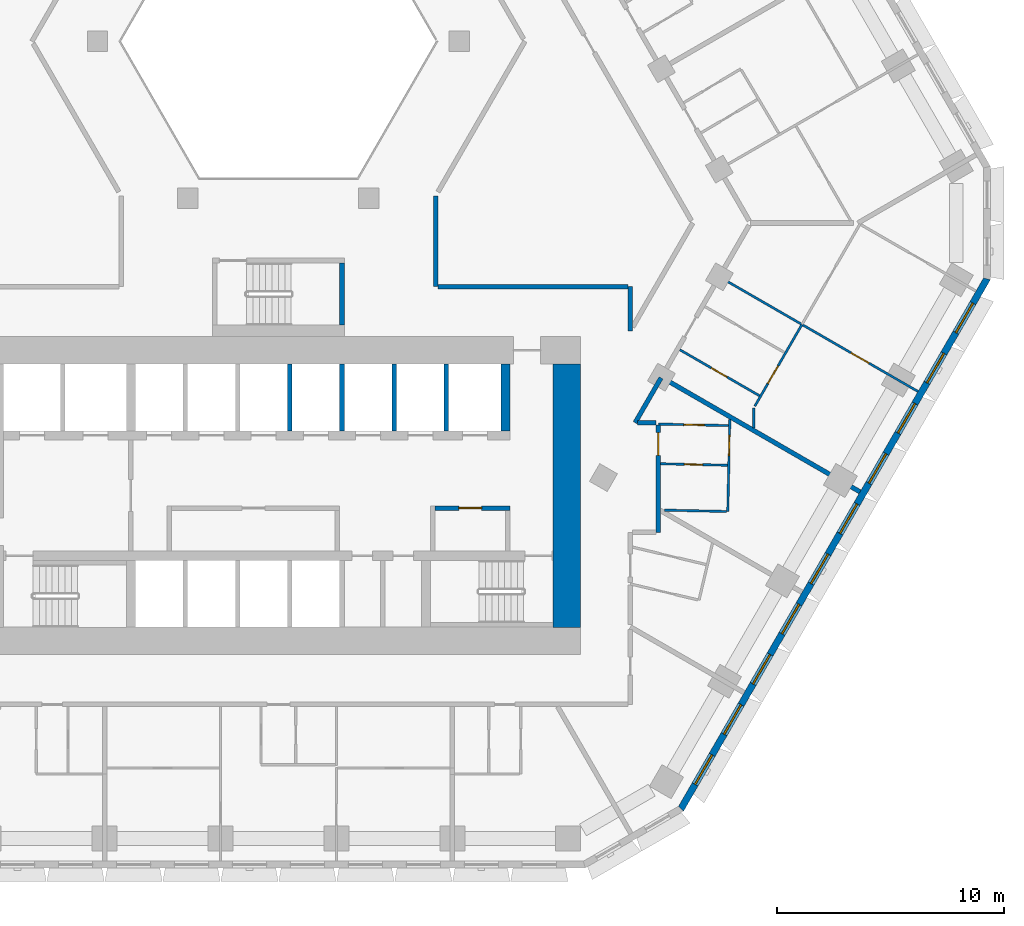
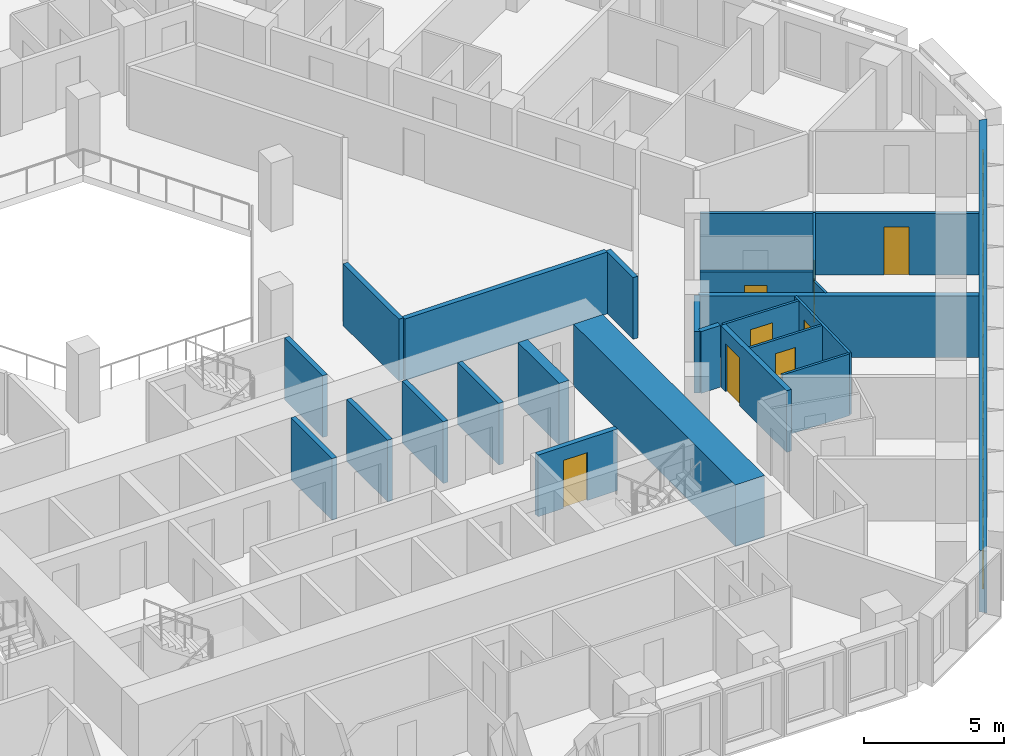
# One storey, part 7 of 21: 24 walls, 10 windows, 8 doors, 18 openings.
"""IFC4 building model written with IfcOpenShell, lengths in metres."""

import ifcopenshell
import ifcopenshell.guid

model = None  # the IFC model being written
_history = None  # IfcOwnerHistory: only IFC2X3 demands one
_inside = {}  # id of a spatial element -> (the spatial element, [elements in it])
_under = {}  # id of a project, library or spatial element -> (it, [spatial elements below it])
_declared = {}  # id of a project -> (the project, [libraries it declares])
_typed = {}  # id of a type object -> (the type object, [elements of that type])
_made_of = {}  # id of a material, layer set ... -> (it, [elements and type objects made of it])


def new_model(schema):
    """Start an empty IFC model of exactly this schema.

    Asked for "IFC4X3", IfcOpenShell would pick the latest addendum, in which some entities
    have other attributes; the version numbers below select the first issue.
    IFC2X3 requires an IfcOwnerHistory on every rooted entity: one is made here for all.
    """
    global model, _history
    if schema == "IFC4X3":
        model = ifcopenshell.file(schema_version=(4, 3, 0, 0))
    else:
        model = ifcopenshell.file(schema=schema)
    _inside.clear()
    _under.clear()
    _declared.clear()
    _typed.clear()
    _made_of.clear()
    _history = None
    if model.schema == "IFC2X3":
        org = make("IfcOrganization", Name="unknown")
        user = make(
            "IfcPersonAndOrganization",
            ThePerson=make("IfcPerson", FamilyName="unknown"),
            TheOrganization=org,
        )
        app = make(
            "IfcApplication",
            ApplicationDeveloper=org,
            Version="unknown",
            ApplicationFullName="unknown",
            ApplicationIdentifier="unknown",
        )
        _history = make(
            "IfcOwnerHistory",
            OwningUser=user,
            OwningApplication=app,
            ChangeAction="ADDED",
            CreationDate=0,
        )
    return model


def make(cls, **values):
    """One entity of the class cls with the attributes given. An attribute that is None is left unset."""
    return model.create_entity(
        cls, **{name: value for name, value in values.items() if value is not None}
    )


def rooted(cls, **values):
    """An entity with a GlobalId (a new one), such as an element, a storey or a relation."""
    return make(cls, GlobalId=ifcopenshell.guid.new(), OwnerHistory=_history, **values)


def si_unit(unit_type, name, prefix=None):
    """IfcSIUnit, for example si_unit("LENGTHUNIT", "METRE", prefix="MILLI")."""
    return make("IfcSIUnit", UnitType=unit_type, Prefix=prefix, Name=name)


def assignment(units):
    """IfcUnitAssignment: the units of a project."""
    return None if units is None else make("IfcUnitAssignment", Units=units)


def point(xyz):
    """IfcCartesianPoint."""
    return None if xyz is None else make("IfcCartesianPoint", Coordinates=xyz)


def direction(xyz):
    """IfcDirection."""
    return None if xyz is None else make("IfcDirection", DirectionRatios=xyz)


def frame(location, z_axis=None, x_axis=None):
    """IfcAxis2Placement3D, a coordinate frame: its origin and axes. An axis left out is left unset."""
    return make(
        "IfcAxis2Placement3D",
        Location=point(location),
        Axis=direction(z_axis),
        RefDirection=direction(x_axis),
    )


def frame_2d(location, x_axis=None):
    """IfcAxis2Placement2D, a coordinate frame in the plane: its origin and x axis."""
    return make(
        "IfcAxis2Placement2D", Location=point(location), RefDirection=direction(x_axis)
    )


def origin():
    """The frame at (0, 0, 0) with its axes left unset."""
    return frame((0.0, 0.0, 0.0))


def place(relative_to, where):
    """IfcLocalPlacement: puts the frame where relative to a parent placement (None: the world)."""
    return make(
        "IfcLocalPlacement", PlacementRelTo=relative_to, RelativePlacement=where
    )


def context(
    kind, dimensions, precision=None, world=None, true_north=None, identifier=None
):
    """IfcGeometricRepresentationContext, for example the 3D "Model" context."""
    return make(
        "IfcGeometricRepresentationContext",
        ContextIdentifier=identifier,
        ContextType=kind,
        CoordinateSpaceDimension=dimensions,
        Precision=precision,
        WorldCoordinateSystem=world,
        TrueNorth=true_north,
    )


def subcontext(parent, identifier, kind, view, scale=None):
    """IfcGeometricRepresentationSubContext, for example "Body" below "Model"."""
    return make(
        "IfcGeometricRepresentationSubContext",
        ContextIdentifier=identifier,
        ContextType=kind,
        ParentContext=parent,
        TargetScale=scale,
        TargetView=view,
    )


def project(units=None, contexts=None):
    """IfcProject with its units and contexts."""
    return rooted(
        "IfcProject",
        Name="project",
        RepresentationContexts=contexts,
        UnitsInContext=assignment(units),
    )


def spatial(cls, under=None, at=None, **own):
    """A site, building, storey or space (cls), placed at a placement, below another one or the project."""
    s = rooted(cls, ObjectPlacement=at, **own)
    if under is not None:
        _under.setdefault(under.id(), (under, []))[1].append(s)
    return s


def polyline(points):
    """IfcPolyline through the points."""
    return make("IfcPolyline", Points=[point(p) for p in points])


def profile(cls, at=None, kind="AREA", **sizes):
    """A parametric profile (cls). Its sizes go by their IFC names, for example OverallWidth=200.0."""
    return make(cls, ProfileType=kind, Position=at, **sizes)


def rectangle(**sizes):
    """IfcRectangleProfileDef."""
    return profile("IfcRectangleProfileDef", **sizes)


def outline(outer, holes=None, kind="AREA"):
    """IfcArbitraryClosedProfileDef: a profile drawn as a closed curve; with holes, ...WithVoids."""
    if holes is None:
        return make("IfcArbitraryClosedProfileDef", ProfileType=kind, OuterCurve=outer)
    return make(
        "IfcArbitraryProfileDefWithVoids",
        ProfileType=kind,
        OuterCurve=outer,
        InnerCurves=holes,
    )


def extrude(swept, where, along, depth):
    """IfcExtrudedAreaSolid: the profile swept, set in the frame where, extruded along a direction by depth."""
    return make(
        "IfcExtrudedAreaSolid",
        SweptArea=swept,
        Position=where,
        ExtrudedDirection=direction(along),
        Depth=depth,
    )


def shape(context_of_items, identifier, shape_type, items):
    """IfcShapeRepresentation: the items that make up one representation, for example the "Body"."""
    return make(
        "IfcShapeRepresentation",
        ContextOfItems=context_of_items,
        RepresentationIdentifier=identifier,
        RepresentationType=shape_type,
        Items=items,
    )


def material(Name=None, Category=None):
    """IfcMaterial."""
    return make("IfcMaterial", Name=Name, Category=Category)


def layer(
    of_material, thickness, ventilated=None, Name=None, Category=None, Priority=None
):
    """IfcMaterialLayer: one layer of a wall or slab, of a material (None: an air gap)."""
    return make(
        "IfcMaterialLayer",
        Material=of_material,
        LayerThickness=thickness,
        IsVentilated=ventilated,
        Name=Name,
        Category=Category,
        Priority=Priority,
    )


def layer_set(layers, Name=None):
    """IfcMaterialLayerSet."""
    return make("IfcMaterialLayerSet", MaterialLayers=layers, LayerSetName=Name)


def made_of(thing, what):
    """Note that an element or type object is made of a material, layer set ...; save() writes the relation."""
    if what is not None:
        _made_of.setdefault(what.id(), (what, []))[1].append(thing)
    return thing


def type_object(cls, material=None, **own):
    """A type object (cls), such as IfcWallType, which elements share."""
    return made_of(rooted(cls, **own), material)


def element(
    cls,
    number,
    at=None,
    inside=None,
    cuts=None,
    type_object=None,
    material=None,
    context=None,
    identifier="Body",
    shape_type=None,
    held_by="IfcProductDefinitionShape",
    body=None,
    shapes=None,
    **own,
):
    """One element of the class cls, such as IfcWall. Its Tag is "e" and its number.

    at: its placement. inside: the storey or other place that contains it. cuts: it is an
    opening in that element (IfcRelVoidsElement). A single representation is given by context,
    identifier, shape_type and body (its items); several are given by shapes. held_by: the class
    of the entity that holds the representations. save() writes the other relations.
    """
    e = rooted(cls, Tag="e%d" % number, ObjectPlacement=at, **own)
    if body is not None:
        shapes = [shape(context, identifier, shape_type, body)]
    if shapes is not None:
        e.Representation = make(held_by, Representations=shapes)
    if inside is not None:
        _inside.setdefault(inside.id(), (inside, []))[1].append(e)
    if cuts is not None:
        rooted(
            "IfcRelVoidsElement", RelatingBuildingElement=cuts, RelatedOpeningElement=e
        )
    if type_object is not None:
        _typed.setdefault(type_object.id(), (type_object, []))[1].append(e)
    return made_of(e, material)


def fill(opening, filler):
    """IfcRelFillsElement: the door or window that sits in an opening."""
    return rooted(
        "IfcRelFillsElement",
        RelatingOpeningElement=opening,
        RelatedBuildingElement=filler,
    )


def aggregate(whole, parts):
    """IfcRelAggregates: a whole, such as a stair, and the parts it consists of."""
    return rooted("IfcRelAggregates", RelatingObject=whole, RelatedObjects=parts)


def save(model, path):
    """Write the relations noted so far, then the file.

    IfcRelAggregates (storeys below a building ...), IfcRelContainedInSpatialStructure (elements
    in a storey), IfcRelDefinesByType, IfcRelAssociatesMaterial and IfcRelDeclares: one each for
    every whole, place, type object, material and project.
    """
    for whole, parts in _under.values():
        aggregate(whole, parts)
    for where, things in _inside.values():
        rooted(
            "IfcRelContainedInSpatialStructure",
            RelatedElements=things,
            RelatingStructure=where,
        )
    for kind, things in _typed.values():
        rooted("IfcRelDefinesByType", RelatedObjects=things, RelatingType=kind)
    for what, things in _made_of.values():
        rooted("IfcRelAssociatesMaterial", RelatedObjects=things, RelatingMaterial=what)
    for by, libraries in _declared.values():
        rooted("IfcRelDeclares", RelatingContext=by, RelatedDefinitions=libraries)
    model.write(path)


model = new_model("IFC4")

# Units and contexts
model_context = context("Model", 3, precision=1e-05, world=origin(), true_north=direction((0.0, 1.0)))
body_context = subcontext(model_context, "Body", "Model", "MODEL_VIEW")
ifc_project = project(units=[si_unit("LENGTHUNIT", "METRE"), si_unit("AREAUNIT", "SQUARE_METRE"), si_unit("VOLUMEUNIT", "CUBIC_METRE"), si_unit("PLANEANGLEUNIT", "RADIAN"), si_unit("MASSUNIT", "GRAM", prefix="KILO")], contexts=[model_context])

# Site, building, storey
site_placement = place(None, origin())
site = spatial("IfcSite", under=ifc_project, at=site_placement, CompositionType="ELEMENT")
building_placement = place(site_placement, origin())
building = spatial("IfcBuilding", under=site, at=building_placement, Name="Beryl Residences", CompositionType="ELEMENT")
storey_placement = place(building_placement, frame((0.0, 0.0, 53.39990234375)))
storey = spatial("IfcBuildingStorey", under=building, at=storey_placement, Name="L16", CompositionType="ELEMENT", Elevation=53.39990234375)

# Wall, openings, windows
ifc_material_1 = material(Name="Composite metal panel with mineral wool insulation")
ifc_layer_1 = layer(ifc_material_1, 0.300048828125)
ifc_layer_set_1 = layer_set([ifc_layer_1], Name="ES1 pale metal composite panel wall 300 mm")
wall_type_1 = type_object("IfcWallType", Name="ES1 pale metal composite panel wall 300 mm", PredefinedType="SOLIDWALL", material=ifc_layer_set_1)
wall_1_placement = place(storey_placement, frame((17.7099609375, -25.824951171875, 0.0), z_axis=(0.0, 0.0, 1.0), x_axis=(0.500001938803, 0.866024284413, 0.0)))
wall_1 = element("IfcWall", 1, at=wall_1_placement, inside=storey, type_object=wall_type_1, Name="ES1 external wall L16 SE", PredefinedType="SOLIDWALL", context=body_context, shape_type="SweptSolid", body=[
    extrude(outline(polyline([(0.0, -0.14990234375), (27.02001953125, -0.14990234375), (26.939697265625, 0.14990234375), (0.080322265625, 0.14990234375), (0.0, -0.14990234375)])), origin(), (0.0, 0.0, 1.0), 2.7001953125),
])
opening_1_placement = place(wall_1_placement, frame((1.277099609375, 0.0, 0.14990234375)))
opening_1 = element("IfcOpeningElement", 2, at=opening_1_placement, cuts=wall_1, Name="Opening W1", PredefinedType="OPENING", context=body_context, shape_type="SweptSolid", body=[
    extrude(rectangle(XDim=1.5, YDim=2.10009765625, at=frame_2d((0.75, 1.050048828125))), frame((0.0, 0.159912109375, 0.0), z_axis=(0.0, -1.0, 0.0), x_axis=(1.0, 0.0, 0.0)), (0.0, 0.0, 1.0), 0.320068359375),
])
opening_2_placement = place(wall_1_placement, frame((3.8291015625, 0.0, 0.14990234375)))
opening_2 = element("IfcOpeningElement", 3, at=opening_2_placement, cuts=wall_1, Name="Opening W1", PredefinedType="OPENING", context=body_context, shape_type="SweptSolid", body=[
    extrude(rectangle(XDim=1.5, YDim=2.10009765625, at=frame_2d((0.75, 1.050048828125))), frame((0.0, 0.159912109375, 0.0), z_axis=(0.0, -1.0, 0.0), x_axis=(1.0, 0.0, 0.0)), (0.0, 0.0, 1.0), 0.320068359375),
])
opening_3_placement = place(wall_1_placement, frame((6.382080078125, 0.0, 0.14990234375)))
opening_3 = element("IfcOpeningElement", 4, at=opening_3_placement, cuts=wall_1, Name="Opening W1", PredefinedType="OPENING", context=body_context, shape_type="SweptSolid", body=[
    extrude(rectangle(XDim=1.5, YDim=2.10009765625, at=frame_2d((0.75, 1.050048828125))), frame((0.0, 0.159912109375, 0.0), z_axis=(0.0, -1.0, 0.0), x_axis=(1.0, 0.0, 0.0)), (0.0, 0.0, 1.0), 0.320068359375),
])
opening_4_placement = place(wall_1_placement, frame((8.93310546875, 0.0, 0.14990234375)))
opening_4 = element("IfcOpeningElement", 5, at=opening_4_placement, cuts=wall_1, Name="Opening W1", PredefinedType="OPENING", context=body_context, shape_type="SweptSolid", body=[
    extrude(rectangle(XDim=1.5, YDim=2.10009765625, at=frame_2d((0.75, 1.050048828125))), frame((0.0, 0.159912109375, 0.0), z_axis=(0.0, -1.0, 0.0), x_axis=(1.0, 0.0, 0.0)), (0.0, 0.0, 1.0), 0.320068359375),
])
opening_5_placement = place(wall_1_placement, frame((11.485107421875, 0.0, 0.14990234375)))
opening_5 = element("IfcOpeningElement", 6, at=opening_5_placement, cuts=wall_1, Name="Opening W1", PredefinedType="OPENING", context=body_context, shape_type="SweptSolid", body=[
    extrude(rectangle(XDim=1.5, YDim=2.10009765625, at=frame_2d((0.75, 1.050048828125))), frame((0.0, 0.159912109375, 0.0), z_axis=(0.0, -1.0, 0.0), x_axis=(1.0, 0.0, 0.0)), (0.0, 0.0, 1.0), 0.320068359375),
])
opening_6_placement = place(wall_1_placement, frame((14.037109375, 0.0, 0.14990234375)))
opening_6 = element("IfcOpeningElement", 7, at=opening_6_placement, cuts=wall_1, Name="Opening W1", PredefinedType="OPENING", context=body_context, shape_type="SweptSolid", body=[
    extrude(rectangle(XDim=1.5, YDim=2.10009765625, at=frame_2d((0.75, 1.050048828125))), frame((0.0, 0.159912109375, 0.0), z_axis=(0.0, -1.0, 0.0), x_axis=(1.0, 0.0, 0.0)), (0.0, 0.0, 1.0), 0.320068359375),
])
opening_7_placement = place(wall_1_placement, frame((16.589111328125, 0.0, 0.14990234375)))
opening_7 = element("IfcOpeningElement", 8, at=opening_7_placement, cuts=wall_1, Name="Opening W1", PredefinedType="OPENING", context=body_context, shape_type="SweptSolid", body=[
    extrude(rectangle(XDim=1.5, YDim=2.10009765625, at=frame_2d((0.75, 1.050048828125))), frame((0.0, 0.159912109375, 0.0), z_axis=(0.0, -1.0, 0.0), x_axis=(1.0, 0.0, 0.0)), (0.0, 0.0, 1.0), 0.320068359375),
])
opening_8_placement = place(wall_1_placement, frame((19.14111328125, 0.0, 0.14990234375)))
opening_8 = element("IfcOpeningElement", 9, at=opening_8_placement, cuts=wall_1, Name="Opening W1", PredefinedType="OPENING", context=body_context, shape_type="SweptSolid", body=[
    extrude(rectangle(XDim=1.5, YDim=2.10009765625, at=frame_2d((0.75, 1.050048828125))), frame((0.0, 0.159912109375, 0.0), z_axis=(0.0, -1.0, 0.0), x_axis=(1.0, 0.0, 0.0)), (0.0, 0.0, 1.0), 0.320068359375),
])
opening_9_placement = place(wall_1_placement, frame((21.693115234375, 0.0, 0.14990234375)))
opening_9 = element("IfcOpeningElement", 10, at=opening_9_placement, cuts=wall_1, Name="Opening W1", PredefinedType="OPENING", context=body_context, shape_type="SweptSolid", body=[
    extrude(rectangle(XDim=1.5, YDim=2.10009765625, at=frame_2d((0.75, 1.050048828125))), frame((0.0, 0.159912109375, 0.0), z_axis=(0.0, -1.0, 0.0), x_axis=(1.0, 0.0, 0.0)), (0.0, 0.0, 1.0), 0.320068359375),
])
opening_10_placement = place(wall_1_placement, frame((24.243896484375, 0.0, 0.14990234375)))
opening_10 = element("IfcOpeningElement", 11, at=opening_10_placement, cuts=wall_1, Name="Opening W1", PredefinedType="OPENING", context=body_context, shape_type="SweptSolid", body=[
    extrude(rectangle(XDim=1.5, YDim=2.10009765625, at=frame_2d((0.75, 1.050048828125))), frame((0.0, 0.159912109375, 0.0), z_axis=(0.0, -1.0, 0.0), x_axis=(1.0, 0.0, 0.0)), (0.0, 0.0, 1.0), 0.320068359375),
])
ifc_material_2 = material(Name="Aluminium and clear glass", Category="aluminium")
window_type = type_object("IfcWindowType", Name="W1 cell window 1500 x 2100 mm", PartitioningType="SINGLE_PANEL", PredefinedType="WINDOW", material=ifc_material_2)
window_1_placement = place(opening_1_placement, origin())
window_1 = element("IfcWindow", 12, at=window_1_placement, inside=storey, type_object=window_type, Name="W1 window L16 SE 1", OverallHeight=2.10009765625, OverallWidth=1.5, PartitioningType="SINGLE_PANEL", PredefinedType="WINDOW", context=body_context, shape_type="SweptSolid", body=[
    extrude(rectangle(XDim=1.5, YDim=2.10009765625, at=frame_2d((0.75, 1.050048828125))), frame((0.0, 0.030029296875, 0.0), z_axis=(0.0, -1.0, 0.0), x_axis=(1.0, 0.0, 0.0)), (0.0, 0.0, 1.0), 0.06005859375),
])
fill(opening_1, window_1)
window_2_placement = place(opening_2_placement, origin())
window_2 = element("IfcWindow", 13, at=window_2_placement, inside=storey, type_object=window_type, Name="W1 window L16 SE 2", OverallHeight=2.10009765625, OverallWidth=1.5, PartitioningType="SINGLE_PANEL", PredefinedType="WINDOW", context=body_context, shape_type="SweptSolid", body=[
    extrude(rectangle(XDim=1.5, YDim=2.10009765625, at=frame_2d((0.75, 1.050048828125))), frame((0.0, 0.030029296875, 0.0), z_axis=(0.0, -1.0, 0.0), x_axis=(1.0, 0.0, 0.0)), (0.0, 0.0, 1.0), 0.06005859375),
])
fill(opening_2, window_2)
window_3_placement = place(opening_3_placement, origin())
window_3 = element("IfcWindow", 14, at=window_3_placement, inside=storey, type_object=window_type, Name="W1 window L16 SE 3", OverallHeight=2.10009765625, OverallWidth=1.5, PartitioningType="SINGLE_PANEL", PredefinedType="WINDOW", context=body_context, shape_type="SweptSolid", body=[
    extrude(rectangle(XDim=1.5, YDim=2.10009765625, at=frame_2d((0.75, 1.050048828125))), frame((0.0, 0.030029296875, 0.0), z_axis=(0.0, -1.0, 0.0), x_axis=(1.0, 0.0, 0.0)), (0.0, 0.0, 1.0), 0.06005859375),
])
fill(opening_3, window_3)
window_4_placement = place(opening_4_placement, origin())
window_4 = element("IfcWindow", 15, at=window_4_placement, inside=storey, type_object=window_type, Name="W1 window L16 SE 4", OverallHeight=2.10009765625, OverallWidth=1.5, PartitioningType="SINGLE_PANEL", PredefinedType="WINDOW", context=body_context, shape_type="SweptSolid", body=[
    extrude(rectangle(XDim=1.5, YDim=2.10009765625, at=frame_2d((0.75, 1.050048828125))), frame((0.0, 0.030029296875, 0.0), z_axis=(0.0, -1.0, 0.0), x_axis=(1.0, 0.0, 0.0)), (0.0, 0.0, 1.0), 0.06005859375),
])
fill(opening_4, window_4)
window_5_placement = place(opening_5_placement, origin())
window_5 = element("IfcWindow", 16, at=window_5_placement, inside=storey, type_object=window_type, Name="W1 window L16 SE 5", OverallHeight=2.10009765625, OverallWidth=1.5, PartitioningType="SINGLE_PANEL", PredefinedType="WINDOW", context=body_context, shape_type="SweptSolid", body=[
    extrude(rectangle(XDim=1.5, YDim=2.10009765625, at=frame_2d((0.75, 1.050048828125))), frame((0.0, 0.030029296875, 0.0), z_axis=(0.0, -1.0, 0.0), x_axis=(1.0, 0.0, 0.0)), (0.0, 0.0, 1.0), 0.06005859375),
])
fill(opening_5, window_5)
window_6_placement = place(opening_6_placement, origin())
window_6 = element("IfcWindow", 17, at=window_6_placement, inside=storey, type_object=window_type, Name="W1 window L16 SE 6", OverallHeight=2.10009765625, OverallWidth=1.5, PartitioningType="SINGLE_PANEL", PredefinedType="WINDOW", context=body_context, shape_type="SweptSolid", body=[
    extrude(rectangle(XDim=1.5, YDim=2.10009765625, at=frame_2d((0.75, 1.050048828125))), frame((0.0, 0.030029296875, 0.0), z_axis=(0.0, -1.0, 0.0), x_axis=(1.0, 0.0, 0.0)), (0.0, 0.0, 1.0), 0.06005859375),
])
fill(opening_6, window_6)
window_7_placement = place(opening_7_placement, origin())
window_7 = element("IfcWindow", 18, at=window_7_placement, inside=storey, type_object=window_type, Name="W1 window L16 SE 7", OverallHeight=2.10009765625, OverallWidth=1.5, PartitioningType="SINGLE_PANEL", PredefinedType="WINDOW", context=body_context, shape_type="SweptSolid", body=[
    extrude(rectangle(XDim=1.5, YDim=2.10009765625, at=frame_2d((0.75, 1.050048828125))), frame((0.0, 0.030029296875, 0.0), z_axis=(0.0, -1.0, 0.0), x_axis=(1.0, 0.0, 0.0)), (0.0, 0.0, 1.0), 0.06005859375),
])
fill(opening_7, window_7)
window_8_placement = place(opening_8_placement, origin())
window_8 = element("IfcWindow", 19, at=window_8_placement, inside=storey, type_object=window_type, Name="W1 window L16 SE 8", OverallHeight=2.10009765625, OverallWidth=1.5, PartitioningType="SINGLE_PANEL", PredefinedType="WINDOW", context=body_context, shape_type="SweptSolid", body=[
    extrude(rectangle(XDim=1.5, YDim=2.10009765625, at=frame_2d((0.75, 1.050048828125))), frame((0.0, 0.030029296875, 0.0), z_axis=(0.0, -1.0, 0.0), x_axis=(1.0, 0.0, 0.0)), (0.0, 0.0, 1.0), 0.06005859375),
])
fill(opening_8, window_8)
window_9_placement = place(opening_9_placement, origin())
window_9 = element("IfcWindow", 20, at=window_9_placement, inside=storey, type_object=window_type, Name="W1 window L16 SE 9", OverallHeight=2.10009765625, OverallWidth=1.5, PartitioningType="SINGLE_PANEL", PredefinedType="WINDOW", context=body_context, shape_type="SweptSolid", body=[
    extrude(rectangle(XDim=1.5, YDim=2.10009765625, at=frame_2d((0.75, 1.050048828125))), frame((0.0, 0.030029296875, 0.0), z_axis=(0.0, -1.0, 0.0), x_axis=(1.0, 0.0, 0.0)), (0.0, 0.0, 1.0), 0.06005859375),
])
fill(opening_9, window_9)
window_10_placement = place(opening_10_placement, origin())
window_10 = element("IfcWindow", 21, at=window_10_placement, inside=storey, type_object=window_type, Name="W1 window L16 SE 10", OverallHeight=2.10009765625, OverallWidth=1.5, PartitioningType="SINGLE_PANEL", PredefinedType="WINDOW", context=body_context, shape_type="SweptSolid", body=[
    extrude(rectangle(XDim=1.5, YDim=2.10009765625, at=frame_2d((0.75, 1.050048828125))), frame((0.0, 0.030029296875, 0.0), z_axis=(0.0, -1.0, 0.0), x_axis=(1.0, 0.0, 0.0)), (0.0, 0.0, 1.0), 0.06005859375),
])
fill(opening_10, window_10)

# Wall, opening, door
ifc_material_3 = material(Name="Gypsum board partition on steel studs", Category="steel")
ifc_layer_2 = layer(ifc_material_3, 0.10009765625)
ifc_layer_set_2 = layer_set([ifc_layer_2], Name="PT1 partition 100 mm gypsum board on steel studs")
wall_type_2 = type_object("IfcWallType", Name="PT1 partition 100 mm gypsum board on steel studs", PredefinedType="PARTITIONING", material=ifc_layer_set_2)
wall_2_placement = place(storey_placement, frame((16.72802734375, -8.85302734375, 0.0), z_axis=(0.0, 0.0, 1.0), x_axis=(0.999759332126, -0.021938045176, 0.0)))
wall_2 = element("IfcWall", 22, at=wall_2_placement, inside=storey, type_object=wall_type_2, Name="Wall PT1 L16 017", PredefinedType="PARTITIONING", context=body_context, shape_type="SweptSolid", body=[
    extrude(rectangle(XDim=3.09375, YDim=0.10009765625, at=frame_2d((1.546875, 0.0))), origin(), (0.0, 0.0, 1.0), 2.7001953125),
])
opening_11_placement = place(wall_2_placement, frame((1.1220703125, 0.0, 0.0)))
opening_11 = element("IfcOpeningElement", 23, at=opening_11_placement, cuts=wall_2, Name="Opening D0241", PredefinedType="OPENING", context=body_context, shape_type="SweptSolid", body=[
    extrude(rectangle(XDim=0.89990234375, YDim=2.10009765625, at=frame_2d((0.449951171875, 1.050048828125))), frame((0.0, 0.06005859375, 0.0), z_axis=(0.0, -1.0, 0.0), x_axis=(1.0, 0.0, 0.0)), (0.0, 0.0, 1.0), 0.1201171875),
])
ifc_material_4 = material(Name="Timber door leaf", Category="wood")
door_type_1 = type_object("IfcDoorType", Name="D2 room door 900 x 2100 mm", OperationType="SINGLE_SWING_LEFT", PredefinedType="DOOR", material=ifc_material_4)
door_1_placement = place(opening_11_placement, origin())
door_1 = element("IfcDoor", 24, at=door_1_placement, inside=storey, type_object=door_type_1, Name="Door D0241 L16 001", OperationType="SINGLE_SWING_LEFT", OverallHeight=2.10009765625, OverallWidth=0.89990234375, PredefinedType="DOOR", context=body_context, shape_type="SweptSolid", body=[
    extrude(rectangle(XDim=0.89990234375, YDim=2.10009765625, at=frame_2d((0.449951171875, 1.050048828125))), frame((0.0, 0.02490234375, 0.0), z_axis=(0.0, -1.0, 0.0), x_axis=(1.0, 0.0, 0.0)), (0.0, 0.0, 1.0), 0.050048828125),
])
fill(opening_11, door_1)

wall_3_placement = place(storey_placement, frame((16.827880859375, -10.60107421875, 0.0), z_axis=(0.0, 0.0, 1.0), x_axis=(0.999751134527, -0.02230849639, 0.0)))
wall_3 = element("IfcWall", 25, at=wall_3_placement, inside=storey, type_object=wall_type_2, Name="Wall PT1 L16 018", PredefinedType="PARTITIONING", context=body_context, shape_type="SweptSolid", body=[
    extrude(rectangle(XDim=2.954833984375, YDim=0.10009765625, at=frame_2d((1.4775390625, 0.0))), origin(), (0.0, 0.0, 1.0), 2.7001953125),
])
opening_12_placement = place(wall_3_placement, frame((1.052978515625, 0.0, 0.0)))
opening_12 = element("IfcOpeningElement", 26, at=opening_12_placement, cuts=wall_3, Name="Opening D0242", PredefinedType="OPENING", context=body_context, shape_type="SweptSolid", body=[
    extrude(rectangle(XDim=0.800048828125, YDim=2.10009765625, at=frame_2d((0.39990234375, 1.050048828125))), frame((0.0, 0.06005859375, 0.0), z_axis=(0.0, -1.0, 0.0), x_axis=(1.0, 0.0, 0.0)), (0.0, 0.0, 1.0), 0.1201171875),
])
ifc_material_5 = material(Name="Timber door leaf", Category="wood")
door_type_2 = type_object("IfcDoorType", Name="D3 bathroom door 800 x 2100 mm", OperationType="SINGLE_SWING_LEFT", PredefinedType="DOOR", material=ifc_material_5)
door_2_placement = place(opening_12_placement, origin())
door_2 = element("IfcDoor", 27, at=door_2_placement, inside=storey, type_object=door_type_2, Name="Door D0242 L16 001", OperationType="SINGLE_SWING_RIGHT", OverallHeight=2.10009765625, OverallWidth=0.800048828125, PredefinedType="DOOR", context=body_context, shape_type="SweptSolid", body=[
    extrude(rectangle(XDim=0.800048828125, YDim=2.10009765625, at=frame_2d((0.39990234375, 1.050048828125))), frame((0.0, 0.02490234375, 0.0), z_axis=(0.0, -1.0, 0.0), x_axis=(1.0, 0.0, 0.0)), (0.0, 0.0, 1.0), 0.050048828125),
])
fill(opening_12, door_2)

# Wall
wall_4_placement = place(storey_placement, frame((16.99609375, -12.64208984375, 0.0), z_axis=(0.0, 0.0, 1.0), x_axis=(0.999754143854, -0.022173223641, 0.0)))
element("IfcWall", 28, at=wall_4_placement, inside=storey, type_object=wall_type_2, Name="Wall PT1 L16 019", PredefinedType="PARTITIONING", context=body_context, shape_type="SweptSolid", body=[
    extrude(rectangle(XDim=2.74169921875, YDim=0.10009765625, at=frame_2d((1.370849609375, 0.0))), origin(), (0.0, 0.0, 1.0), 2.7001953125),
])

# Wall, opening, door
wall_5_placement = place(storey_placement, frame((17.677001953125, -5.58203125, 0.0), z_axis=(0.0, 0.0, 1.0), x_axis=(0.866015917575, -0.500016430238, 0.0)))
wall_5 = element("IfcWall", 29, at=wall_5_placement, inside=storey, type_object=wall_type_2, Name="Wall PT1 L16 022", PredefinedType="PARTITIONING", context=body_context, shape_type="SweptSolid", body=[
    extrude(rectangle(XDim=4.049560546875, YDim=0.10009765625, at=frame_2d((2.02490234375, 0.0))), origin(), (0.0, 0.0, 1.0), 2.7001953125),
])
opening_13_placement = place(wall_5_placement, frame((1.60009765625, 0.0, 0.0)))
opening_13 = element("IfcOpeningElement", 30, at=opening_13_placement, cuts=wall_5, Name="Opening D0245", PredefinedType="OPENING", context=body_context, shape_type="SweptSolid", body=[
    extrude(rectangle(XDim=0.800048828125, YDim=2.10009765625, at=frame_2d((0.39990234375, 1.050048828125))), frame((0.0, 0.06005859375, 0.0), z_axis=(0.0, -1.0, 0.0), x_axis=(1.0, 0.0, 0.0)), (0.0, 0.0, 1.0), 0.1201171875),
])
door_3_placement = place(opening_13_placement, origin())
door_3 = element("IfcDoor", 31, at=door_3_placement, inside=storey, type_object=door_type_2, Name="Door D0245 L16 001", OperationType="SINGLE_SWING_LEFT", OverallHeight=2.10009765625, OverallWidth=0.800048828125, PredefinedType="DOOR", context=body_context, shape_type="SweptSolid", body=[
    extrude(rectangle(XDim=0.800048828125, YDim=2.10009765625, at=frame_2d((0.39990234375, 1.050048828125))), frame((0.0, 0.02490234375, 0.0), z_axis=(0.0, -1.0, 0.0), x_axis=(1.0, 0.0, 0.0)), (0.0, 0.0, 1.0), 0.050048828125),
])
fill(opening_13, door_3)

wall_6_placement = place(storey_placement, frame((19.5029296875, -2.4189453125, 0.0), z_axis=(0.0, 0.0, 1.0), x_axis=(0.866047370643, -0.499961950354, 0.0)))
wall_6 = element("IfcWall", 32, at=wall_6_placement, inside=storey, type_object=wall_type_2, Name="Wall PT1 L16 025", PredefinedType="PARTITIONING", context=body_context, shape_type="SweptSolid", body=[
    extrude(rectangle(XDim=10.000732421875, YDim=0.10009765625, at=frame_2d((5.00048828125, 0.0))), origin(), (0.0, 0.0, 1.0), 2.7001953125),
])
opening_14_placement = place(wall_6_placement, frame((6.60009765625, 0.0, 0.0)))
opening_14 = element("IfcOpeningElement", 33, at=opening_14_placement, cuts=wall_6, Name="Opening D0248", PredefinedType="OPENING", context=body_context, shape_type="SweptSolid", body=[
    extrude(rectangle(XDim=0.89990234375, YDim=2.10009765625, at=frame_2d((0.449951171875, 1.050048828125))), frame((0.0, 0.06005859375, 0.0), z_axis=(0.0, -1.0, 0.0), x_axis=(1.0, 0.0, 0.0)), (0.0, 0.0, 1.0), 0.1201171875),
])
door_4_placement = place(opening_14_placement, origin())
door_4 = element("IfcDoor", 34, at=door_4_placement, inside=storey, type_object=door_type_1, Name="Door D0248 L16 001", OperationType="SINGLE_SWING_RIGHT", OverallHeight=2.10009765625, OverallWidth=0.89990234375, PredefinedType="DOOR", context=body_context, shape_type="SweptSolid", body=[
    extrude(rectangle(XDim=0.89990234375, YDim=2.10009765625, at=frame_2d((0.449951171875, 1.050048828125))), frame((0.0, 0.02490234375, 0.0), z_axis=(0.0, -1.0, 0.0), x_axis=(1.0, 0.0, 0.0)), (0.0, 0.0, 1.0), 0.050048828125),
])
fill(opening_14, door_4)

wall_7_placement = place(storey_placement, frame((20.97802734375, -8.06494140625, 0.0), z_axis=(0.0, 0.0, 1.0), x_axis=(0.499965068118, 0.866045570776, 0.0)))
wall_7 = element("IfcWall", 35, at=wall_7_placement, inside=storey, type_object=wall_type_2, Name="Wall PT1 L16 040", PredefinedType="PARTITIONING", context=body_context, shape_type="SweptSolid", body=[
    extrude(rectangle(XDim=4.152099609375, YDim=0.10009765625, at=frame_2d((2.076171875, 0.0))), origin(), (0.0, 0.0, 1.0), 2.7001953125),
])
opening_15_placement = place(wall_7_placement, frame((1.14990234375, 0.0, 0.0)))
opening_15 = element("IfcOpeningElement", 36, at=opening_15_placement, cuts=wall_7, Name="Opening D0247", PredefinedType="OPENING", context=body_context, shape_type="SweptSolid", body=[
    extrude(rectangle(XDim=0.89990234375, YDim=2.10009765625, at=frame_2d((0.449951171875, 1.050048828125))), frame((0.0, 0.06005859375, 0.0), z_axis=(0.0, -1.0, 0.0), x_axis=(1.0, 0.0, 0.0)), (0.0, 0.0, 1.0), 0.1201171875),
])
door_5_placement = place(opening_15_placement, origin())
door_5 = element("IfcDoor", 37, at=door_5_placement, inside=storey, type_object=door_type_1, Name="Door D0247 L16 001", OperationType="SINGLE_SWING_LEFT", OverallHeight=2.10009765625, OverallWidth=0.89990234375, PredefinedType="DOOR", context=body_context, shape_type="SweptSolid", body=[
    extrude(rectangle(XDim=0.89990234375, YDim=2.10009765625, at=frame_2d((0.449951171875, 1.050048828125))), frame((0.0, 0.02490234375, 0.0), z_axis=(0.0, -1.0, 0.0), x_axis=(1.0, 0.0, 0.0)), (0.0, 0.0, 1.0), 0.050048828125),
])
fill(opening_15, door_5)

wall_8_placement = place(storey_placement, frame((19.787109375, -12.7041015625, 0.0), z_axis=(0.0, 0.0, 1.0), x_axis=(0.02212326712, 0.999755250575, 0.0)))
wall_8 = element("IfcWall", 38, at=wall_8_placement, inside=storey, type_object=wall_type_2, Name="Wall PT1 L16 045", PredefinedType="PARTITIONING", context=body_context, shape_type="SweptSolid", body=[
    extrude(rectangle(XDim=4.06103515625, YDim=0.10009765625, at=frame_2d((2.030517578125, 0.0))), origin(), (0.0, 0.0, 1.0), 2.7001953125),
])
opening_16_placement = place(wall_8_placement, frame((2.4599609375, 0.0, 0.0)))
opening_16 = element("IfcOpeningElement", 39, at=opening_16_placement, cuts=wall_8, Name="Opening D0243", PredefinedType="OPENING", context=body_context, shape_type="SweptSolid", body=[
    extrude(rectangle(XDim=0.89990234375, YDim=2.10009765625, at=frame_2d((0.449951171875, 1.050048828125))), frame((0.0, 0.06005859375, 0.0), z_axis=(0.0, -1.0, 0.0), x_axis=(1.0, 0.0, 0.0)), (0.0, 0.0, 1.0), 0.1201171875),
])
door_6_placement = place(opening_16_placement, origin())
door_6 = element("IfcDoor", 40, at=door_6_placement, inside=storey, type_object=door_type_1, Name="Door D0243 L16 001", OperationType="SINGLE_SWING_LEFT", OverallHeight=2.10009765625, OverallWidth=0.89990234375, PredefinedType="DOOR", context=body_context, shape_type="SweptSolid", body=[
    extrude(rectangle(XDim=0.89990234375, YDim=2.10009765625, at=frame_2d((0.449951171875, 1.050048828125))), frame((0.0, 0.02490234375, 0.0), z_axis=(0.0, -1.0, 0.0), x_axis=(1.0, 0.0, 0.0)), (0.0, 0.0, 1.0), 0.050048828125),
])
fill(opening_16, door_6)

# Wall
wall_9_placement = place(storey_placement, frame((20.927978515625, -9.02001953125, 0.0), z_axis=(0.0, 0.0, 1.0), x_axis=(0.0, 1.0, 0.0)))
element("IfcWall", 41, at=wall_9_placement, inside=storey, type_object=wall_type_2, Name="Wall PT1 L16 051", PredefinedType="PARTITIONING", context=body_context, shape_type="SweptSolid", body=[
    extrude(rectangle(XDim=0.869140625, YDim=0.10009765625, at=frame_2d((0.4345703125, 0.0))), origin(), (0.0, 0.0, 1.0), 2.7001953125),
])

# Wall, opening, door
ifc_material_6 = material(Name="Concrete masonry", Category="masonry")
ifc_layer_3 = layer(ifc_material_6, 0.199951171875)
ifc_layer_set_3 = layer_set([ifc_layer_3], Name="PT13 lobby wall 200 mm")
wall_type_3 = type_object("IfcWallType", Name="PT13 lobby wall 200 mm", PredefinedType="PARTITIONING", material=ifc_layer_set_3)
wall_10_placement = place(storey_placement, frame((6.89990234375, -12.550048828125, 0.0), z_axis=(0.0, 0.0, 1.0), x_axis=(1.0, 0.0, 0.0)))
wall_10 = element("IfcWall", 42, at=wall_10_placement, inside=storey, type_object=wall_type_3, Name="Lobby wall 22", PredefinedType="PARTITIONING", context=body_context, shape_type="SweptSolid", body=[
    extrude(rectangle(XDim=3.300048828125, YDim=0.199951171875, at=frame_2d((1.64990234375, 0.0))), origin(), (0.0, 0.0, 1.0), 2.7001953125),
])
opening_17_placement = place(wall_10_placement, frame((2.050048828125, 0.0, 0.0), z_axis=(0.0, 0.0, 1.0), x_axis=(-1.0, 0.0, 0.0)))
opening_17 = element("IfcOpeningElement", 43, at=opening_17_placement, cuts=wall_10, Name="Opening CD-D-A2", PredefinedType="OPENING", context=body_context, shape_type="SweptSolid", body=[
    extrude(rectangle(XDim=1.0, YDim=2.10009765625, at=frame_2d((0.5, 1.050048828125))), frame((0.0, 0.10986328125, 0.0), z_axis=(0.0, -1.0, 0.0), x_axis=(1.0, 0.0, 0.0)), (0.0, 0.0, 1.0), 0.219970703125),
])
ifc_material_7 = material(Name="Steel door leaf in steel frame", Category="steel")
door_type_3 = type_object("IfcDoorType", Name="D18 service room door 1000 x 2100 mm", OperationType="SINGLE_SWING_LEFT", PredefinedType="DOOR", material=ifc_material_7)
door_7_placement = place(opening_17_placement, origin())
door_7 = element("IfcDoor", 44, at=door_7_placement, inside=storey, type_object=door_type_3, Name="Door CD-D-A2 L16 001", OperationType="SINGLE_SWING_LEFT", OverallHeight=2.10009765625, OverallWidth=1.0, PredefinedType="DOOR", context=body_context, shape_type="SweptSolid", body=[
    extrude(rectangle(XDim=1.0, YDim=2.10009765625, at=frame_2d((0.5, 1.050048828125))), frame((0.0, 0.02490234375, 0.0), z_axis=(0.0, -1.0, 0.0), x_axis=(1.0, 0.0, 0.0)), (0.0, 0.0, 1.0), 0.050048828125),
])
fill(opening_17, door_7)

# Walls
ifc_material_8 = material(Name="Acoustic double stud gypsum board wall")
ifc_layer_4 = layer(ifc_material_8, 0.199951171875)
ifc_layer_set_4 = layer_set([ifc_layer_4], Name="PT3 party wall 200 mm acoustic double stud")
wall_type_4 = type_object("IfcWallType", Name="PT3 party wall 200 mm acoustic double stud", PredefinedType="PARTITIONING", material=ifc_layer_set_4)
wall_11_placement = place(storey_placement, frame((16.916015625, -6.819091796875, 0.0), z_axis=(0.0, 0.0, 1.0), x_axis=(0.866028876723, -0.499993984646, 0.0)))
element("IfcWall", 45, at=wall_11_placement, inside=storey, type_object=wall_type_4, Name="Wall PT3 L16 013", PredefinedType="PARTITIONING", context=body_context, shape_type="SweptSolid", body=[
    extrude(rectangle(XDim=10.0400390625, YDim=0.199951171875, at=frame_2d((5.02001953125, 0.0))), origin(), (0.0, 0.0, 1.0), 2.7001953125),
])
ifc_material_9 = material(Name="Double stud gypsum board wall")
ifc_layer_5 = layer(ifc_material_9, 0.199951171875)
ifc_layer_set_5 = layer_set([ifc_layer_5], Name="PT4 corridor wall 200 mm double stud")
wall_type_5 = type_object("IfcWallType", Name="PT4 corridor wall 200 mm double stud", PredefinedType="PARTITIONING", material=ifc_layer_set_5)
wall_12_placement = place(storey_placement, frame((15.822021484375, -8.7939453125, 0.0), z_axis=(0.0, 0.0, 1.0), x_axis=(1.0, 0.0, 0.0)))
element("IfcWall", 46, at=wall_12_placement, inside=storey, type_object=wall_type_5, Name="Wall PT4 L16 011", PredefinedType="PARTITIONING", context=body_context, shape_type="SweptSolid", body=[
    extrude(rectangle(XDim=0.805908203125, YDim=0.199951171875, at=frame_2d((0.40283203125, 0.0))), origin(), (0.0, 0.0, 1.0), 2.7001953125),
])
wall_13_placement = place(storey_placement, frame((7.028076171875, -2.800048828125, 0.0), z_axis=(0.0, 0.0, 1.0), x_axis=(1.0, 0.0, 0.0)))
element("IfcWall", 47, at=wall_13_placement, inside=storey, type_object=wall_type_5, Name="Wall PT4 L16 016", PredefinedType="PARTITIONING", context=body_context, shape_type="SweptSolid", body=[
    extrude(rectangle(XDim=8.371826171875, YDim=0.199951171875, at=frame_2d((4.18603515625, 0.0))), origin(), (0.0, 0.0, 1.0), 2.7001953125),
])
wall_14_placement = place(storey_placement, frame((15.70703125, -8.7939453125, 0.0), z_axis=(0.0, 0.0, 1.0), x_axis=(0.500040469623, 0.866002037376, 0.0)))
element("IfcWall", 48, at=wall_14_placement, inside=storey, type_object=wall_type_5, Name="Wall PT4 L16 022", PredefinedType="PARTITIONING", context=body_context, shape_type="SweptSolid", body=[
    extrude(rectangle(XDim=2.281494140625, YDim=0.199951171875, at=frame_2d((1.140625, 0.0))), origin(), (0.0, 0.0, 1.0), 2.7001953125),
])
wall_15_placement = place(storey_placement, frame((6.927978515625, -2.800048828125, 0.0), z_axis=(0.0, 0.0, 1.0), x_axis=(0.0, 1.0, 0.0)))
element("IfcWall", 49, at=wall_15_placement, inside=storey, type_object=wall_type_5, Name="Wall PT4 L16 027", PredefinedType="PARTITIONING", context=body_context, shape_type="SweptSolid", body=[
    extrude(rectangle(XDim=4.0, YDim=0.199951171875, at=frame_2d((2.0, 0.0))), origin(), (0.0, 0.0, 1.0), 2.7001953125),
])
wall_16_placement = place(storey_placement, frame((15.5, -4.751953125, 0.0), z_axis=(0.0, 0.0, 1.0), x_axis=(0.0, 1.0, 0.0)))
element("IfcWall", 50, at=wall_16_placement, inside=storey, type_object=wall_type_5, Name="Wall PT4 L16 030", PredefinedType="PARTITIONING", context=body_context, shape_type="SweptSolid", body=[
    extrude(rectangle(XDim=1.951904296875, YDim=0.199951171875, at=frame_2d((0.97607421875, 0.0))), origin(), (0.0, 0.0, 1.0), 2.7001953125),
])

# Wall, opening, door
wall_17_placement = place(storey_placement, frame((16.72802734375, -13.6240234375, 0.0), z_axis=(0.0, 0.0, 1.0), x_axis=(0.0, 1.0, 0.0)))
wall_17 = element("IfcWall", 51, at=wall_17_placement, inside=storey, type_object=wall_type_5, Name="Wall PT4 L16 031", PredefinedType="PARTITIONING", context=body_context, shape_type="SweptSolid", body=[
    extrude(rectangle(XDim=4.720947265625, YDim=0.199951171875, at=frame_2d((2.3603515625, 0.0))), origin(), (0.0, 0.0, 1.0), 2.7001953125),
])
opening_18_placement = place(wall_17_placement, frame((3.39697265625, 0.0, 0.0)))
opening_18 = element("IfcOpeningElement", 52, at=opening_18_placement, cuts=wall_17, Name="Opening D0240", PredefinedType="OPENING", context=body_context, shape_type="SweptSolid", body=[
    extrude(rectangle(XDim=1.0, YDim=2.10009765625, at=frame_2d((0.5, 1.050048828125))), frame((0.0, 0.10986328125, 0.0), z_axis=(0.0, -1.0, 0.0), x_axis=(1.0, 0.0, 0.0)), (0.0, 0.0, 1.0), 0.219970703125),
])
ifc_material_10 = material(Name="Timber door leaf", Category="wood")
door_type_4 = type_object("IfcDoorType", Name="D1 flat entrance door 1000 x 2100 mm", OperationType="SINGLE_SWING_LEFT", PredefinedType="DOOR", material=ifc_material_10)
door_8_placement = place(opening_18_placement, origin())
door_8 = element("IfcDoor", 53, at=door_8_placement, inside=storey, type_object=door_type_4, Name="Door D0240 L16 001", OperationType="SINGLE_SWING_RIGHT", OverallHeight=2.10009765625, OverallWidth=1.0, PredefinedType="DOOR", context=body_context, shape_type="SweptSolid", body=[
    extrude(rectangle(XDim=1.0, YDim=2.10009765625, at=frame_2d((0.5, 1.050048828125))), frame((0.0, 0.02490234375, 0.0), z_axis=(0.0, -1.0, 0.0), x_axis=(1.0, 0.0, 0.0)), (0.0, 0.0, 1.0), 0.050048828125),
])
fill(opening_18, door_8)

# Walls
ifc_material_11 = material(Name="Concrete C40/50", Category="concrete")
ifc_layer_6 = layer(ifc_material_11, 0.199951171875)
ifc_layer_set_6 = layer_set([ifc_layer_6], Name="PT5 stair enclosure wall 200 mm reinforced concrete C40/50")
wall_type_6 = type_object("IfcWallType", Name="PT5 stair enclosure wall 200 mm reinforced concrete C40/50", PredefinedType="SOLIDWALL", material=ifc_layer_set_6)
wall_18_placement = place(storey_placement, frame((2.800048828125, -4.5, 0.0), z_axis=(0.0, 0.0, 1.0), x_axis=(0.0, 1.0, 0.0)))
element("IfcWall", 54, at=wall_18_placement, inside=storey, type_object=wall_type_6, Name="Wall PT5 L16 003", PredefinedType="SOLIDWALL", context=body_context, shape_type="SweptSolid", body=[
    extrude(rectangle(XDim=2.75, YDim=0.199951171875, at=frame_2d((1.375, 0.0))), origin(), (0.0, 0.0, 1.0), 2.7001953125),
])
ifc_material_12 = material(Name="Concrete C40/50", Category="concrete")
ifc_layer_7 = layer(ifc_material_12, 0.199951171875)
ifc_layer_set_7 = layer_set([ifc_layer_7], Name="PT6 lift shaft wall 200 mm reinforced concrete C40/50")
wall_type_7 = type_object("IfcWallType", Name="PT6 lift shaft wall 200 mm reinforced concrete C40/50", PredefinedType="SOLIDWALL", material=ifc_layer_set_7)
for number, where, z_axis, x_axis, name in (
    (55, (0.5, -9.14990234375, 0.0), (0.0, 0.0, 1.0), (0.0, 1.0, 0.0), "Lift shaft wall 14"),
    (56, (2.800048828125, -9.14990234375, 0.0), (0.0, 0.0, 1.0), (0.0, 1.0, 0.0), "Lift shaft wall 17"),
    (57, (5.10009765625, -9.14990234375, 0.0), (0.0, 0.0, 1.0), (0.0, 1.0, 0.0), "Lift shaft wall 19"),
    (58, (7.39990234375, -9.14990234375, 0.0), (0.0, 0.0, 1.0), (0.0, 1.0, 0.0), "Lift shaft wall 23"),
):
    element("IfcWall", number, at=place(storey_placement, frame(where, z_axis=z_axis, x_axis=x_axis)), inside=storey, type_object=wall_type_7, Name=name, PredefinedType="SOLIDWALL", context=body_context, shape_type="SweptSolid", body=[
        extrude(rectangle(XDim=2.949951171875, YDim=0.199951171875, at=frame_2d((1.47509765625, 0.0))), origin(), (0.0, 0.0, 1.0), 2.7001953125),
    ])
ifc_material_13 = material(Name="Concrete C80/95", Category="concrete")
ifc_layer_8 = layer(ifc_material_13, 1.199951171875)
ifc_layer_set_8 = layer_set([ifc_layer_8], Name="SW1 core outer wall 1200 mm C80/95")
wall_type_8 = type_object("IfcWallType", Name="SW1 core outer wall 1200 mm C80/95", PredefinedType="SHEAR", material=ifc_layer_set_8)
wall_19_placement = place(storey_placement, frame((12.699951171875, -17.800048828125, 0.0), z_axis=(0.0, 0.0, 1.0), x_axis=(0.0, 1.0, 0.0)))
element("IfcWall", 59, at=wall_19_placement, inside=storey, type_object=wall_type_8, Name="Core wall E L16", PredefinedType="SHEAR", context=body_context, shape_type="SweptSolid", body=[
    extrude(rectangle(XDim=11.60009765625, YDim=1.199951171875, at=frame_2d((5.800048828125, 0.0))), origin(), (0.0, 0.0, 1.0), 2.7001953125),
])
ifc_material_14 = material(Name="Concrete C80/95", Category="concrete")
ifc_layer_9 = layer(ifc_material_14, 0.39990234375)
ifc_layer_set_9 = layer_set([ifc_layer_9], Name="SW6 core internal wall 400 mm C80/95")
wall_type_9 = type_object("IfcWallType", Name="SW6 core internal wall 400 mm C80/95", PredefinedType="SHEAR", material=ifc_layer_set_9)
wall_20_placement = place(storey_placement, frame((10.0, -9.14990234375, 0.0), z_axis=(0.0, 0.0, 1.0), x_axis=(0.0, 1.0, 0.0)))
element("IfcWall", 60, at=wall_20_placement, inside=storey, type_object=wall_type_9, Name="Core wall XN2 L16", PredefinedType="SHEAR", context=body_context, shape_type="SweptSolid", body=[
    extrude(rectangle(XDim=2.949951171875, YDim=0.39990234375, at=frame_2d((1.47509765625, 0.0))), origin(), (0.0, 0.0, 1.0), 2.7001953125),
])

save(model, "model.ifc")
